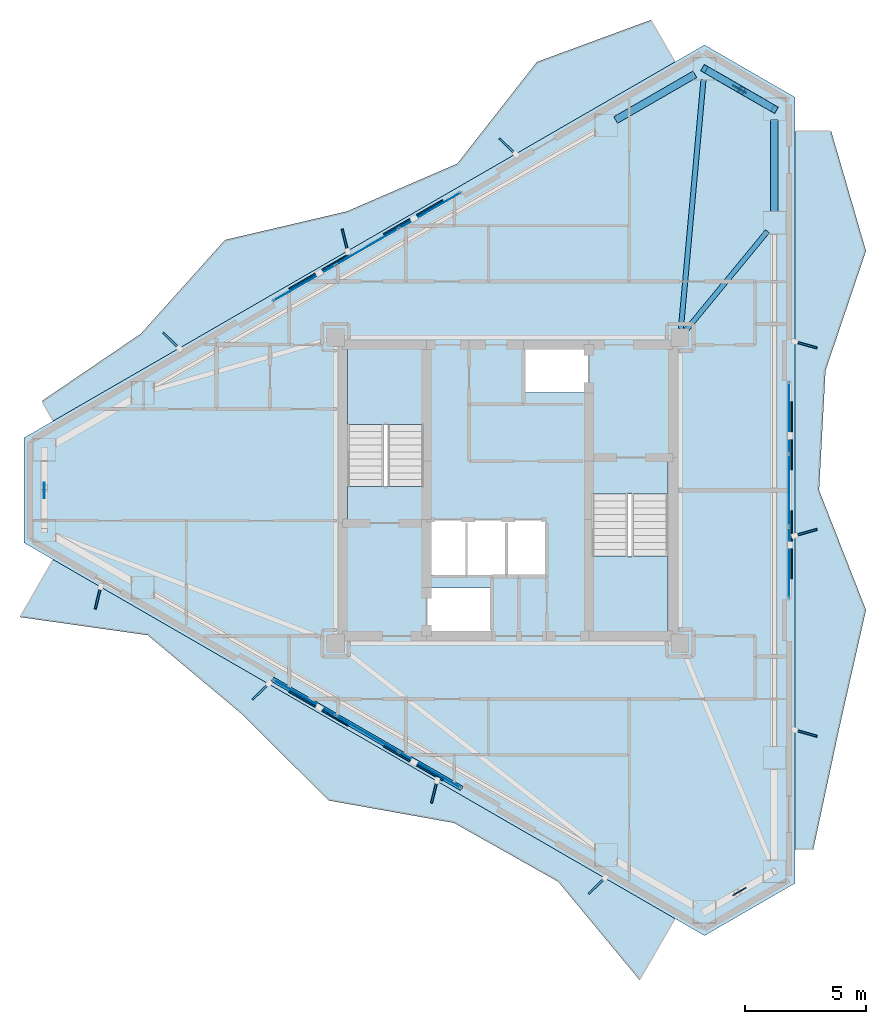
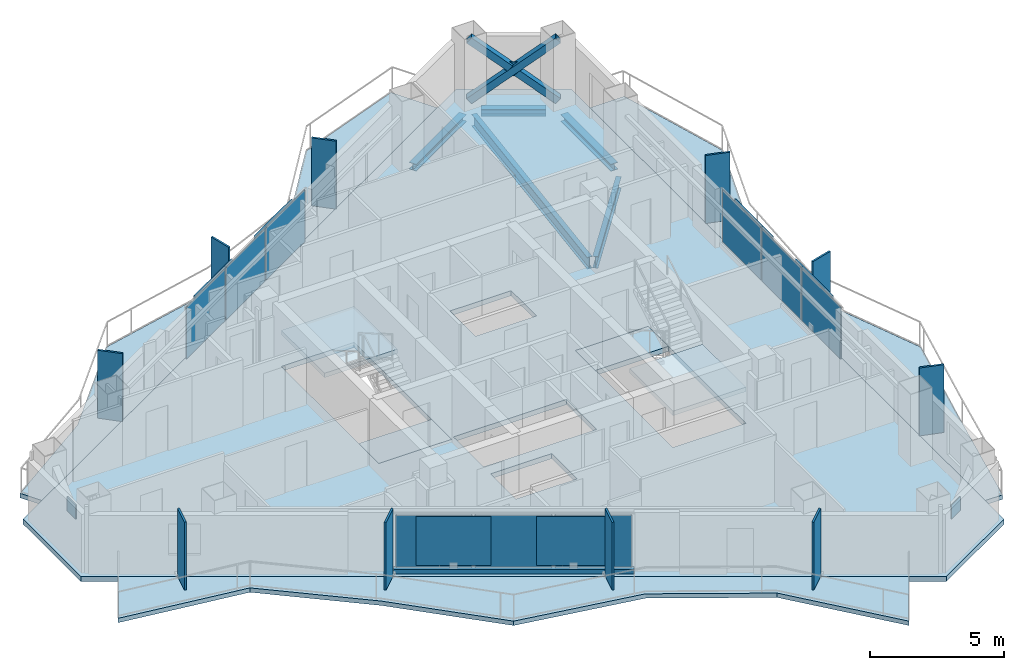
# One storey, part 15 of 22: 28 plates, 8 slabs, 5 beams, 3 members, 1 wall, 5 elements without a shape of their own.
"""IFC4 building model written with IfcOpenShell, lengths in metres."""

from ifc_helpers import new_model, si_unit, direction, frame, frame_2d, origin, origin_2d, place, context, subcontext, project, spatial, polyline, rectangle, hollow_rectangle, i_section, outline, extrude, material, layer, layer_set, material_profile, profile_set, type_object, element, aggregate, save


model = new_model("IFC4")

# Units and contexts
model_context = context("Model", 3, precision=1e-05, world=origin(), true_north=direction((0.0, 1.0)))
body_context = subcontext(model_context, "Body", "Model", "MODEL_VIEW")
ifc_project = project(units=[si_unit("LENGTHUNIT", "METRE"), si_unit("AREAUNIT", "SQUARE_METRE"), si_unit("VOLUMEUNIT", "CUBIC_METRE"), si_unit("PLANEANGLEUNIT", "RADIAN"), si_unit("MASSUNIT", "GRAM", prefix="KILO")], contexts=[model_context])

# Site, building, storey
site_placement = place(None, origin())
site = spatial("IfcSite", under=ifc_project, at=site_placement, CompositionType="ELEMENT")
building_placement = place(site_placement, origin())
building = spatial("IfcBuilding", under=site, at=building_placement, Name="Mersakhor Tower and Convention Hall", CompositionType="ELEMENT")
storey_placement = place(building_placement, frame((0.0, 0.0, 192.0)))
storey = spatial("IfcBuildingStorey", under=building, at=storey_placement, Name="L53", CompositionType="ELEMENT", Elevation=192.0)

# Beams
ifc_material_1 = material(Name="Steel S355", Category="steel")
ifc_material_profile_1 = material_profile(ifc_material_1, i_section(OverallWidth=0.2099609375, OverallDepth=0.53662109375, WebThickness=0.0107421875, FlangeThickness=0.017333984375, at=origin_2d()), Name="UB 533x210x101")
ifc_profile_set_1 = profile_set([ifc_material_profile_1], Name="Steel S355")
beam_type_1 = type_object("IfcBeamType", Name="BM-FB-533", PredefinedType="BEAM", material=ifc_profile_set_1)
beam_1_placement = place(storey_placement, frame((36.132080078125, 33.403564453125, -0.498291015625), z_axis=(0.09035626971, 0.995909506192, 0.0), x_axis=(-0.995909506192, 0.09035626971, 0.0)))
element("IfcBeam", 1, at=beam_1_placement, inside=storey, type_object=beam_type_1, Name="L53 Primary Floor Girder FG-2", PredefinedType="BEAM", context=body_context, shape_type="SweptSolid", body=[
    extrude(i_section(OverallWidth=0.2099609375, OverallDepth=0.53662109375, WebThickness=0.0107421875, FlangeThickness=0.017333984375, at=origin_2d()), origin(), (0.0, 0.0, 1.0), 10.302734375),
])
beam_2_placement = place(storey_placement, frame((36.32568359375, 33.32421875, -0.498291015625), z_axis=(0.635639529599, 0.77198600273, 0.0), x_axis=(-0.77198600273, 0.635639529599, 0.0)))
element("IfcBeam", 2, at=beam_2_placement, inside=storey, type_object=beam_type_1, Name="L53 Primary Floor Girder FG-3", PredefinedType="BEAM", context=body_context, shape_type="SweptSolid", body=[
    extrude(i_section(OverallWidth=0.2099609375, OverallDepth=0.53662109375, WebThickness=0.0107421875, FlangeThickness=0.017333984375, at=origin_2d()), origin(), (0.0, 0.0, 1.0), 5.307373046875),
])
ifc_material_2 = material(Name="Steel S355", Category="steel")
ifc_material_profile_2 = material_profile(ifc_material_2, i_section(OverallWidth=0.30908203125, OverallDepth=0.320556640625, WebThickness=0.013916015625, FlangeThickness=0.021728515625, at=origin_2d()), Name="UC 305x305x137")
ifc_profile_set_2 = profile_set([ifc_material_profile_2], Name="Steel S355")
beam_type_2 = type_object("IfcBeamType", Name="BM-SPD-UC305", PredefinedType="SPANDREL", material=ifc_profile_set_2)
beam_3_placement = place(storey_placement, frame((33.44580078125, 42.005126953125, -0.39013671875), z_axis=(0.866046450459, 0.499963544319, 0.0), x_axis=(-0.499963544319, 0.866046450459, 0.0)))
element("IfcBeam", 3, at=beam_3_placement, inside=storey, type_object=beam_type_2, Name="L53 Perimeter Spandrel Beam SPB-03", PredefinedType="SPANDREL", context=body_context, shape_type="SweptSolid", body=[
    extrude(i_section(OverallWidth=0.30908203125, OverallDepth=0.320556640625, WebThickness=0.013916015625, FlangeThickness=0.021728515625, at=origin_2d()), origin(), (0.0, 0.0, 1.0), 3.769287109375),
])
beam_4_placement = place(storey_placement, frame((37.498046875, 43.8896484375, -0.39013671875), z_axis=(0.86605626798, -0.499946537834, 0.0), x_axis=(0.499946537834, 0.86605626798, 0.0)))
element("IfcBeam", 4, at=beam_4_placement, inside=storey, type_object=beam_type_2, Name="L53 Perimeter Spandrel Beam SPB-04", PredefinedType="SPANDREL", context=body_context, shape_type="SweptSolid", body=[
    extrude(i_section(OverallWidth=0.30908203125, OverallDepth=0.320556640625, WebThickness=0.013916015625, FlangeThickness=0.021728515625, at=origin_2d()), origin(), (0.0, 0.0, 1.0), 2.420654296875),
])
beam_5_placement = place(storey_placement, frame((39.98828125, 41.9970703125, -0.39013671875), z_axis=(0.0, -1.0, 0.0), x_axis=(1.0, 0.0, 0.0)))
element("IfcBeam", 5, at=beam_5_placement, inside=storey, type_object=beam_type_2, Name="L53 Perimeter Spandrel Beam SPB-05", PredefinedType="SPANDREL", context=body_context, shape_type="SweptSolid", body=[
    extrude(i_section(OverallWidth=0.30908203125, OverallDepth=0.320556640625, WebThickness=0.013916015625, FlangeThickness=0.021728515625, at=origin_2d()), origin(), (0.0, 0.0, 1.0), 3.769287109375),
])

# Members
ifc_material_3 = material(Name="Steel S355", Category="steel")
ifc_material_profile_3 = material_profile(ifc_material_3, hollow_rectangle(XDim=0.300048828125, YDim=0.300048828125, WallThickness=0.01611328125, at=origin_2d()), Name="SHS 300x300x16")
ifc_profile_set_3 = profile_set([ifc_material_profile_3], Name="Steel S355")
member_type = type_object("IfcMemberType", Name="MB-BRC-SHS300", PredefinedType="BRACE", material=ifc_profile_set_3)
member_placement = place(storey_placement, frame((37.10400390625, 44.1171875, 0.14990234375), z_axis=(0.665824923443, -0.384424564314, 0.639448923429), x_axis=(0.50001011158, 0.866019565782, 0.0)))
element("IfcMember", 6, at=member_placement, inside=storey, type_object=member_type, Name="L53 Chamfer Braced Frame Diagonal CB-1A", PredefinedType="BRACE", context=body_context, shape_type="SweptSolid", body=[
    extrude(hollow_rectangle(XDim=0.300048828125, YDim=0.300048828125, WallThickness=0.01611328125, at=origin_2d()), origin(), (0.0, 0.0, 1.0), 4.331787109375),
])
for number, where, z_axis, x_axis, name in (
    (7, (39.98828125, 42.451904296875, 0.14990234375), (-0.665711462011, 0.384476371073, 0.639535901599), (-0.500124558158, -0.865953478154, 0.0), "L53 Chamfer Braced Frame Diagonal CB-1B Lower Half"),
    (8, (38.439208984375, 43.34619140625, 1.6376953125), (-0.665831077073, 0.384475140135, 0.639412107659), (-0.50005597947, -0.86599308161, 0.0), "L53 Chamfer Braced Frame Diagonal CB-1B Upper Half"),
):
    element("IfcMember", number, at=place(storey_placement, frame(where, z_axis=z_axis, x_axis=x_axis)), inside=storey, type_object=member_type, Name=name, PredefinedType="BRACE", context=body_context, shape_type="SweptSolid", body=[
        extrude(hollow_rectangle(XDim=0.300048828125, YDim=0.300048828125, WallThickness=0.01611328125, at=origin_2d()), origin(), (0.0, 0.0, 1.0), 2.00537109375),
    ])

# Curtain wall, plates
ifc_material_4 = material(Name="Dark solar low-E aluminium curtain wall", Category="aluminium")
ifc_layer_1 = layer(ifc_material_4, 0.169921875)
ifc_layer_set_1 = layer_set([ifc_layer_1], Name="Dark solar low-E aluminium curtain wall")
curtain_wall_type = type_object("IfcCurtainWallType", Name="CW-SYS-02", PredefinedType="USERDEFINED", material=ifc_layer_set_1)
curtain_wall_1_placement = place(storey_placement, origin())
curtain_wall_1 = element("IfcCurtainWall", 9, at=curtain_wall_1_placement, inside=storey, type_object=curtain_wall_type, Name="L53 Dark-Glass Curtain Wall F1-B2", ObjectType="CURTAIN WALL", PredefinedType="USERDEFINED")
ifc_material_5 = material(Name="Dark solar double glazing", Category="glass")
ifc_layer_2 = layer(ifc_material_5, 0.028076171875)
ifc_layer_set_2 = layer_set([ifc_layer_2], Name="Dark solar double glazing")
plate_type_1 = type_object("IfcPlateType", Name="CWP-GLZ-28", PredefinedType="CURTAIN_PANEL", material=ifc_layer_set_2)
plate_1_placement = place(storey_placement, frame((20.624267578125, 35.29541015625, 0.260009765625), z_axis=(0.0, 0.0, 1.0), x_axis=(0.86602088627, 0.500007824483, 0.0)))
plate_1 = element("IfcPlate", 10, at=plate_1_placement, type_object=plate_type_1, Name="CW-02 panel 1.1", PredefinedType="CURTAIN_PANEL", context=body_context, shape_type="SweptSolid", body=[
    extrude(rectangle(XDim=2.88720703125, YDim=0.028076171875, at=origin_2d()), origin(), (0.0, 0.0, 1.0), 2.3701171875),
])
plate_2_placement = place(storey_placement, frame((23.205810546875, 36.785888671875, 0.260009765625), z_axis=(0.0, 0.0, 1.0), x_axis=(0.86602088627, 0.500007824483, 0.0)))
plate_2 = element("IfcPlate", 11, at=plate_2_placement, type_object=plate_type_1, Name="CW-02 panel 2.1", PredefinedType="CURTAIN_PANEL", context=body_context, shape_type="SweptSolid", body=[
    extrude(rectangle(XDim=2.924560546875, YDim=0.028076171875, at=origin_2d()), origin(), (0.0, 0.0, 1.0), 2.3701171875),
])
plate_3_placement = place(storey_placement, frame((25.787353515625, 38.2763671875, 0.260009765625), z_axis=(0.0, 0.0, 1.0), x_axis=(0.86602088627, 0.500007824483, 0.0)))
plate_3 = element("IfcPlate", 12, at=plate_3_placement, type_object=plate_type_1, Name="CW-02 panel 3.1", PredefinedType="CURTAIN_PANEL", context=body_context, shape_type="SweptSolid", body=[
    extrude(rectangle(XDim=2.88720703125, YDim=0.028076171875, at=origin_2d()), origin(), (0.0, 0.0, 1.0), 2.3701171875),
])
aggregate(curtain_wall_1, [plate_1, plate_2, plate_3])

curtain_wall_2_placement = place(storey_placement, origin())
curtain_wall_2 = element("IfcCurtainWall", 13, at=curtain_wall_2_placement, inside=storey, type_object=curtain_wall_type, Name="L53 Dark-Glass Curtain Wall F2-B2", ObjectType="CURTAIN WALL", PredefinedType="USERDEFINED")
plate_4_placement = place(storey_placement, frame((40.58837890625, 29.73095703125, 0.260009765625), z_axis=(0.0, 0.0, 1.0), x_axis=(0.0, -1.0, 0.0)))
plate_4 = element("IfcPlate", 14, at=plate_4_placement, type_object=plate_type_1, Name="CW-02 panel 1.1", PredefinedType="CURTAIN_PANEL", context=body_context, shape_type="SweptSolid", body=[
    extrude(rectangle(XDim=2.88720703125, YDim=0.028076171875, at=origin_2d()), origin(), (0.0, 0.0, 1.0), 2.3701171875),
])
plate_5_placement = place(storey_placement, frame((40.58837890625, 26.75, 0.260009765625), z_axis=(0.0, 0.0, 1.0), x_axis=(0.0, -1.0, 0.0)))
plate_5 = element("IfcPlate", 15, at=plate_5_placement, type_object=plate_type_1, Name="CW-02 panel 2.1", PredefinedType="CURTAIN_PANEL", context=body_context, shape_type="SweptSolid", body=[
    extrude(rectangle(XDim=2.924560546875, YDim=0.028076171875, at=origin_2d()), origin(), (0.0, 0.0, 1.0), 2.3701171875),
])
plate_6_placement = place(storey_placement, frame((40.58837890625, 23.76904296875, 0.260009765625), z_axis=(0.0, 0.0, 1.0), x_axis=(0.0, -1.0, 0.0)))
plate_6 = element("IfcPlate", 16, at=plate_6_placement, type_object=plate_type_1, Name="CW-02 panel 3.1", PredefinedType="CURTAIN_PANEL", context=body_context, shape_type="SweptSolid", body=[
    extrude(rectangle(XDim=2.88720703125, YDim=0.028076171875, at=origin_2d()), origin(), (0.0, 0.0, 1.0), 2.3701171875),
])
aggregate(curtain_wall_2, [plate_4, plate_5, plate_6])

curtain_wall_3_placement = place(storey_placement, origin())
curtain_wall_3 = element("IfcCurtainWall", 17, at=curtain_wall_3_placement, inside=storey, type_object=curtain_wall_type, Name="L53 Dark-Glass Curtain Wall F3-B2", ObjectType="CURTAIN WALL", PredefinedType="USERDEFINED")
plate_7_placement = place(storey_placement, frame((25.787353515625, 15.2236328125, 0.260009765625), z_axis=(0.0, 0.0, 1.0), x_axis=(-0.86602088627, 0.500007824483, 0.0)))
plate_7 = element("IfcPlate", 18, at=plate_7_placement, type_object=plate_type_1, Name="CW-02 panel 1.1", PredefinedType="CURTAIN_PANEL", context=body_context, shape_type="SweptSolid", body=[
    extrude(rectangle(XDim=2.88720703125, YDim=0.028076171875, at=origin_2d()), origin(), (0.0, 0.0, 1.0), 2.3701171875),
])
plate_8_placement = place(storey_placement, frame((23.205810546875, 16.714111328125, 0.260009765625), z_axis=(0.0, 0.0, 1.0), x_axis=(-0.86602088627, 0.500007824483, 0.0)))
plate_8 = element("IfcPlate", 19, at=plate_8_placement, type_object=plate_type_1, Name="CW-02 panel 2.1", PredefinedType="CURTAIN_PANEL", context=body_context, shape_type="SweptSolid", body=[
    extrude(rectangle(XDim=2.924560546875, YDim=0.028076171875, at=origin_2d()), origin(), (0.0, 0.0, 1.0), 2.3701171875),
])
plate_9_placement = place(storey_placement, frame((20.624267578125, 18.20458984375, 0.260009765625), z_axis=(0.0, 0.0, 1.0), x_axis=(-0.86602088627, 0.500007824483, 0.0)))
plate_9 = element("IfcPlate", 20, at=plate_9_placement, type_object=plate_type_1, Name="CW-02 panel 3.1", PredefinedType="CURTAIN_PANEL", context=body_context, shape_type="SweptSolid", body=[
    extrude(rectangle(XDim=2.88720703125, YDim=0.028076171875, at=origin_2d()), origin(), (0.0, 0.0, 1.0), 2.3701171875),
])
aggregate(curtain_wall_3, [plate_7, plate_8, plate_9])

# Plates
ifc_material_6 = material(Name="Ceramic-clad aluminium Zone 4 terracotta-coral", Category="masonry")
ifc_material_7 = material(Name="Ceramic-clad aluminium Zone 1 cobalt-slate", Category="masonry")
ifc_layer_3 = layer(ifc_material_7, 0.080078125)
ifc_layer_set_3 = layer_set([ifc_layer_3], Name="Ceramic-clad aluminium Zone 1 cobalt-slate")
plate_type_2 = type_object("IfcPlateType", Name="PL-FIN-80", PredefinedType="USERDEFINED", material=ifc_layer_set_3)
for number, where, z_axis, x_axis, name in (
    (21, (15.134521484375, 32.918701171875, 0.0), (0.0, 0.0, 1.0), (-0.719339800339, 0.694658370459, 0.0), "L53 Zone 4 Coloured Brise-Soleil Fin F1-1"),
    (22, (22.289306640625, 37.049560546875, 0.0), (0.0, 0.0, 1.0), (-0.2419218956, 0.970295726276, 0.0), "L53 Zone 4 Coloured Brise-Soleil Fin F1-2"),
    (23, (28.99072265625, 40.918701171875, 0.0), (0.0, 0.0, 1.0), (-0.719339800339, 0.694658370459, 0.0), "L53 Zone 4 Coloured Brise-Soleil Fin F1-3"),
    (24, (41.27490234375, 32.7451171875, 0.0), (0.0, 0.0, 1.0), (0.961261695938, -0.275637355817, 0.0), "L53 Zone 4 Coloured Brise-Soleil Fin F2-1"),
    (25, (41.27490234375, 25.007080078125, 0.0), (0.0, 0.0, 1.0), (0.961261695938, 0.275637355817, 0.0), "L53 Zone 4 Coloured Brise-Soleil Fin F2-2"),
    (26, (41.27490234375, 16.7451171875, 0.0), (0.0, 0.0, 1.0), (0.961261695938, -0.275637355817, 0.0), "L53 Zone 4 Coloured Brise-Soleil Fin F2-3"),
    (27, (32.673095703125, 10.455322265625, 0.0), (0.0, 0.0, 1.0), (-0.719339800339, -0.694658370459, 0.0), "L53 Zone 4 Coloured Brise-Soleil Fin F3-1"),
    (28, (25.9716796875, 14.324462890625, 0.0), (0.0, 0.0, 1.0), (-0.2419218956, -0.970295726276, 0.0), "L53 Zone 4 Coloured Brise-Soleil Fin F3-2"),
    (29, (18.81689453125, 18.455322265625, 0.0), (0.0, 0.0, 1.0), (-0.719339800339, -0.694658370459, 0.0), "L53 Zone 4 Coloured Brise-Soleil Fin F3-3"),
    (30, (12.115478515625, 22.324462890625, 0.0), (0.0, 0.0, 1.0), (-0.2419218956, -0.970295726276, 0.0), "L53 Zone 4 Coloured Brise-Soleil Fin F3-4"),
):
    element("IfcPlate", number, at=place(storey_placement, frame(where, z_axis=z_axis, x_axis=x_axis)), inside=storey, type_object=plate_type_2, material=ifc_material_6, Name=name, ObjectType="FIN", PredefinedType="USERDEFINED", context=body_context, shape_type="SweptSolid", body=[
        extrude(rectangle(XDim=0.949951171875, YDim=0.080078125, at=origin_2d()), origin(), (0.0, 0.0, 1.0), 3.10009765625),
    ])
ifc_material_8 = material(Name="Steel S460", Category="steel")
ifc_layer_4 = layer(ifc_material_8, 0.0400390625)
ifc_layer_set_4 = layer_set([ifc_layer_4], Name="Steel S460")
plate_type_3 = type_object("IfcPlateType", Name="PL-GUSSET-40", PredefinedType="SHEET", material=ifc_layer_set_4)
for number, where, z_axis, x_axis, name in (
    (31, (38.54638671875, 43.28466796875, 1.21484375), (0.0, 0.0, 1.0), (-0.866025403784, 0.5, 0.0), "L53 X-Brace Crossing Gusset Node Plate"),
    (32, (38.54638671875, 10.21533203125, 1.21484375), (0.0, 0.0, 1.0), (0.866025403784, 0.5, 0.0), "L53 X-Brace Crossing Gusset Node Plate"),
    (33, (9.907470703125, 26.75, 1.21484375), (0.0, 0.0, 1.0), (0.0, -1.0, 0.0), "L53 X-Brace Crossing Gusset Node Plate"),
):
    element("IfcPlate", number, at=place(storey_placement, frame(where, z_axis=z_axis, x_axis=x_axis)), inside=storey, type_object=plate_type_3, Name=name, PredefinedType="SHEET", context=body_context, shape_type="SweptSolid", body=[
        extrude(rectangle(XDim=0.639892578125, YDim=0.0400390625, at=origin_2d()), origin(), (0.0, 0.0, 1.0), 0.639892578125),
    ])
ifc_material_9 = material(Name="Perforated ceramic cobogo solar screen", Category="aluminium")
ifc_layer_5 = layer(ifc_material_9, 0.055908203125)
ifc_layer_set_5 = layer_set([ifc_layer_5], Name="Perforated ceramic cobogo solar screen")
plate_type_4 = type_object("IfcPlateType", Name="PL-SCR-56", PredefinedType="USERDEFINED", material=ifc_layer_set_5)
for number, where, z_axis, x_axis, name in (
    (34, (21.20849609375, 35.745849609375, 0.39990234375), (0.0, 0.0, 1.0), (0.866025403784, 0.5, 0.0), "L53 Perforated Ceramic Solar Screen F1-1"),
    (35, (25.10498046875, 37.99560546875, 0.39990234375), (0.0, 0.0, 1.0), (0.866025403784, 0.5, 0.0), "L53 Perforated Ceramic Solar Screen F1-2"),
    (36, (40.686279296875, 28.999755859375, 0.39990234375), (0.0, 0.0, 1.0), (0.0, -1.0, 0.0), "L53 Perforated Ceramic Solar Screen F2-1"),
    (37, (40.686279296875, 24.500244140625, 0.39990234375), (0.0, 0.0, 1.0), (0.0, -1.0, 0.0), "L53 Perforated Ceramic Solar Screen F2-2"),
    (38, (25.10498046875, 15.50439453125, 0.39990234375), (0.0, 0.0, 1.0), (-0.866025403784, 0.5, 0.0), "L53 Perforated Ceramic Solar Screen F3-1"),
    (39, (21.20849609375, 17.754150390625, 0.39990234375), (0.0, 0.0, 1.0), (-0.866025403784, 0.5, 0.0), "L53 Perforated Ceramic Solar Screen F3-2"),
):
    element("IfcPlate", number, at=place(storey_placement, frame(where, z_axis=z_axis, x_axis=x_axis)), inside=storey, type_object=plate_type_4, Name=name, ObjectType="SCREEN", PredefinedType="USERDEFINED", context=body_context, shape_type="SweptSolid", body=[
        extrude(rectangle(XDim=2.800048828125, YDim=0.055908203125, at=origin_2d()), origin(), (0.0, 0.0, 1.0), 2.239990234375),
    ])

# Slabs
ifc_material_10 = material(Name="Concrete C45/55", Category="concrete")
ifc_layer_6 = layer(ifc_material_10, 0.199951171875)
ifc_layer_set_6 = layer_set([ifc_layer_6], Name="Concrete C45/55")
slab_type_1 = type_object("IfcSlabType", Name="SL-BAL-200", PredefinedType="FLOOR", material=ifc_layer_set_6)
slab_1_placement = place(storey_placement, frame((0.0, 0.0, -0.199951171875)))
element("IfcSlab", 40, at=slab_1_placement, inside=storey, type_object=slab_type_1, Name="L53 Sinusoidal Balcony Slab Face 1", PredefinedType="FLOOR", context=body_context, shape_type="SweptSolid", body=[
    extrude(outline(polyline([(10.27001953125, 29.60595703125), (35.8916015625, 44.398681640625), (34.8935546875, 46.12744140625), (30.198974609375, 44.397216796875), (26.922607421875, 40.209716796875), (22.3662109375, 38.240234375), (17.3505859375, 37.065673828125), (13.88671875, 33.203125), (9.797607421875, 30.423828125), (10.27001953125, 29.60595703125)])), origin(), (0.0, 0.0, 1.0), 0.199951171875),
])
slab_2_placement = place(storey_placement, frame((0.0, 0.0, -0.199951171875)))
element("IfcSlab", 41, at=slab_2_placement, inside=storey, type_object=slab_type_1, Name="L53 Sinusoidal Balcony Slab Face 2", PredefinedType="FLOOR", context=body_context, shape_type="SweptSolid", body=[
    extrude(outline(polyline([(40.83837890625, 41.542724609375), (40.83837890625, 11.957275390625), (41.58837890625, 11.957275390625), (42.644287109375, 16.88818359375), (43.75830078125, 21.819091796875), (41.826171875, 26.75), (42.091064453125, 31.680908203125), (43.75830078125, 36.61181640625), (42.3251953125, 41.542724609375), (40.83837890625, 41.542724609375)])), origin(), (0.0, 0.0, 1.0), 0.199951171875),
])
slab_3_placement = place(storey_placement, frame((0.0, 0.0, -0.199951171875)))
element("IfcSlab", 42, at=slab_3_placement, inside=storey, type_object=slab_type_1, Name="L53 Sinusoidal Balcony Slab Face 3", PredefinedType="FLOOR", context=body_context, shape_type="SweptSolid", body=[
    extrude(outline(polyline([(35.8916015625, 9.101318359375), (10.27001953125, 23.89404296875), (8.90185546875, 21.524658203125), (14.165283203125, 20.779052734375), (18.0029296875, 17.564208984375), (21.620849609375, 13.968994140625), (26.781494140625, 13.045654296875), (31.076416015625, 10.623046875), (34.431640625, 6.572509765625), (35.8916015625, 9.101318359375)])), origin(), (0.0, 0.0, 1.0), 0.199951171875),
])
ifc_material_11 = material(Name="Concrete C40/50", Category="concrete")
ifc_layer_7 = layer(ifc_material_11, 0.22998046875)
ifc_layer_set_7 = layer_set([ifc_layer_7], Name="Concrete C40/50")
slab_type_2 = type_object("IfcSlabType", Name="SL-FLR-230", PredefinedType="FLOOR", material=ifc_layer_set_7)
slab_4_placement = place(storey_placement, frame((0.0, 0.0, -0.22998046875)))
element("IfcSlab", 43, at=slab_4_placement, inside=storey, type_object=slab_type_2, Name="L53 ST-1 Structural Stair Floor Landing", PredefinedType="LANDING", context=body_context, shape_type="SweptSolid", body=[
    extrude(outline(polyline([(25.550048828125, 25.39990234375), (25.550048828125, 26.89990234375), (22.39990234375, 26.89990234375), (22.39990234375, 25.39990234375), (25.550048828125, 25.39990234375)])), origin(), (0.0, 0.0, 1.0), 0.22998046875),
])
slab_5_placement = place(storey_placement, frame((0.0, 0.0, -0.22998046875)))
element("IfcSlab", 44, at=slab_5_placement, inside=storey, type_object=slab_type_2, Name="L53 ST-2 Structural Stair Floor Landing", PredefinedType="LANDING", context=body_context, shape_type="SweptSolid", body=[
    extrude(outline(polyline([(32.449951171875, 28.10009765625), (32.449951171875, 26.60009765625), (35.60009765625, 26.60009765625), (35.60009765625, 28.10009765625), (32.449951171875, 28.10009765625)])), origin(), (0.0, 0.0, 1.0), 0.22998046875),
])
slab_6_placement = place(storey_placement, frame((0.0, 0.0, -0.22998046875)))
element("IfcSlab", 45, at=slab_6_placement, inside=storey, type_object=slab_type_2, Name="Tower L53 Structural Floor Slab", PredefinedType="FLOOR", context=body_context, shape_type="SweptSolid", body=[
    extrude(outline(polyline([(9.0576171875, 28.906005859375), (37.10400390625, 45.0986328125), (40.83837890625, 42.942626953125), (40.83837890625, 10.557373046875), (37.10400390625, 8.4013671875), (9.0576171875, 24.593994140625), (9.0576171875, 28.906005859375)]), holes=[polyline([(25.550048828125, 25.39990234375), (25.550048828125, 32.699951171875), (22.39990234375, 32.699951171875), (22.39990234375, 25.39990234375), (25.550048828125, 25.39990234375)]), polyline([(32.449951171875, 28.10009765625), (32.449951171875, 20.800048828125), (35.60009765625, 20.800048828125), (35.60009765625, 28.10009765625), (32.449951171875, 28.10009765625)]), polyline([(25.679931640625, 20.820068359375), (25.679931640625, 22.719970703125), (28.320068359375, 22.719970703125), (28.320068359375, 20.820068359375), (25.679931640625, 20.820068359375)]), polyline([(29.679931640625, 30.780029296875), (29.679931640625, 32.679931640625), (32.320068359375, 32.679931640625), (32.320068359375, 30.780029296875), (29.679931640625, 30.780029296875)]), polyline([(25.679931640625, 23.25), (25.679931640625, 25.5), (30.570068359375, 25.5), (30.570068359375, 23.25), (25.679931640625, 23.25)])]), origin(), (0.0, 0.0, 1.0), 0.22998046875),
])

# Stair, slab
ifc_material_12 = material(Name="Concrete C45/55", Category="concrete")
stair_type = type_object("IfcStairType", Name="ST-TWR-20R", PredefinedType="HALF_TURN_STAIR", material=ifc_material_12)
stair_1_placement = place(storey_placement, origin())
stair_1 = element("IfcStair", 46, at=stair_1_placement, inside=storey, type_object=stair_type, Name="L53 Tower Protected Exit Stair ST-1", PredefinedType="HALF_TURN_STAIR")
ifc_material_13 = material(Name="Concrete C45/55", Category="concrete")
ifc_layer_8 = layer(ifc_material_13, 0.199951171875)
ifc_layer_set_8 = layer_set([ifc_layer_8], Name="Concrete C45/55")
slab_type_3 = type_object("IfcSlabType", Name="SL-LAND-200", PredefinedType="LANDING", material=ifc_layer_set_8)
slab_7_placement = place(storey_placement, frame((0.0, 0.0, 1.449951171875)))
slab_7 = element("IfcSlab", 47, at=slab_7_placement, type_object=slab_type_3, Name="ST-1 landing 1", PredefinedType="LANDING", context=body_context, shape_type="SweptSolid", body=[
    extrude(outline(polyline([(25.550048828125, 29.465087890625), (25.550048828125, 32.699951171875), (22.39990234375, 32.699951171875), (22.39990234375, 29.465087890625), (25.550048828125, 29.465087890625)])), origin(), (0.0, 0.0, 1.0), 0.199951171875),
])
aggregate(stair_1, [slab_7])

stair_2_placement = place(storey_placement, origin())
stair_2 = element("IfcStair", 48, at=stair_2_placement, inside=storey, type_object=stair_type, Name="L53 Tower Protected Exit Stair ST-2", PredefinedType="HALF_TURN_STAIR")
slab_8_placement = place(storey_placement, frame((0.0, 0.0, 1.449951171875)))
slab_8 = element("IfcSlab", 49, at=slab_8_placement, type_object=slab_type_3, Name="ST-2 landing 1", PredefinedType="LANDING", context=body_context, shape_type="SweptSolid", body=[
    extrude(outline(polyline([(32.449951171875, 24.034912109375), (32.449951171875, 20.800048828125), (35.60009765625, 20.800048828125), (35.60009765625, 24.034912109375), (32.449951171875, 24.034912109375)])), origin(), (0.0, 0.0, 1.0), 0.199951171875),
])
aggregate(stair_2, [slab_8])

# Wall
ifc_material_14 = material(Name="Precast concrete C40/50", Category="concrete")
ifc_layer_9 = layer(ifc_material_14, 0.199951171875)
ifc_layer_set_9 = layer_set([ifc_layer_9], Name="Precast concrete C40/50")
wall_type = type_object("IfcWallType", Name="WL-PAR-200", PredefinedType="PARAPET", material=ifc_layer_set_9)
wall_placement = place(storey_placement, frame((27.102294921875, 14.46435546875, 0.0), z_axis=(0.0, 0.0, 1.0), x_axis=(-0.866020680503, 0.500008180874, 0.0)))
element("IfcWall", 50, at=wall_placement, inside=storey, type_object=wall_type, Name="L53 Curtain Wall Upstand Sill F3-B2", PredefinedType="PARAPET", context=body_context, shape_type="SweptSolid", body=[
    extrude(rectangle(XDim=8.998779296875, YDim=0.199951171875, at=frame_2d((4.49951171875, 0.0))), origin(), (0.0, 0.0, 1.0), 0.199951171875),
])

save(model, "model.ifc")
